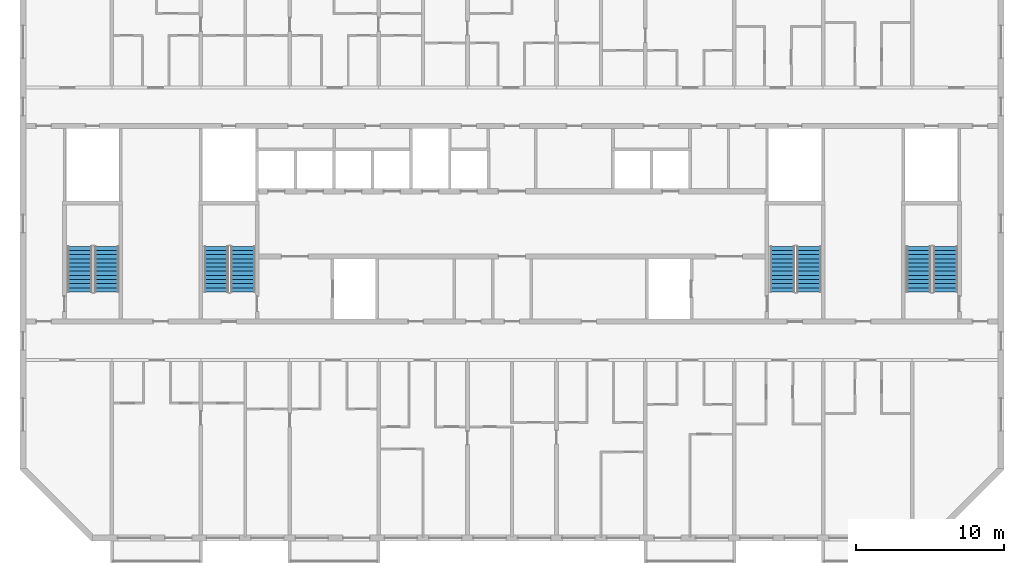
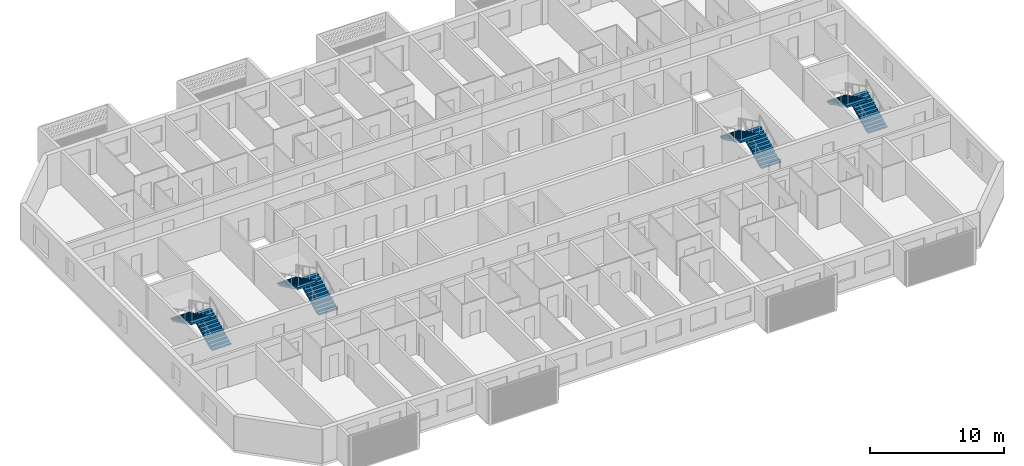
# One storey, part 12 of 26: 8 stair flights, 4 elements without a shape of their own.
"""IFC4 building model written with IfcOpenShell, lengths in metres."""

from ifc_helpers import new_model, si_unit, direction, frame, origin, place, context, subcontext, project, spatial, polyline, outline, extrude, material, layer, layer_set, type_object, element, aggregate, save


model = new_model("IFC4")

# Units and contexts
model_context = context("Model", 3, precision=1e-05, world=origin(), true_north=direction((0.0, 1.0)))
body_context = subcontext(model_context, "Body", "Model", "MODEL_VIEW")
ifc_project = project(units=[si_unit("LENGTHUNIT", "METRE"), si_unit("AREAUNIT", "SQUARE_METRE"), si_unit("VOLUMEUNIT", "CUBIC_METRE"), si_unit("PLANEANGLEUNIT", "RADIAN"), si_unit("MASSUNIT", "GRAM", prefix="KILO")], contexts=[model_context])

# Site, building, storey
site_placement = place(None, origin())
site = spatial("IfcSite", under=ifc_project, at=site_placement, CompositionType="ELEMENT")
building_placement = place(site_placement, origin())
building = spatial("IfcBuilding", under=site, at=building_placement, Name="Poui Terraces", CompositionType="ELEMENT")
storey_placement = place(building_placement, frame((0.0, 0.0, 244.5)))
storey = spatial("IfcBuildingStorey", under=building, at=storey_placement, Name="L68", CompositionType="ELEMENT", Elevation=244.5)

# Stair, stair flights
ifc_material = material(Name="Concrete 50 MPa", Category="concrete")
stair_type = type_object("IfcStairType", Name="EXIT STAIR 1650 50 MPA", PredefinedType="HALF_TURN_STAIR", material=ifc_material)
stair_1_placement = place(storey_placement, origin())
stair_1 = element("IfcStair", 1, at=stair_1_placement, inside=storey, type_object=stair_type, Name="L68 CORE STAIR EAST", PredefinedType="HALF_TURN_STAIR")
ifc_layer = layer(ifc_material, 0.14990234375)
ifc_layer_set = layer_set([ifc_layer], Name="Concrete 50 MPa")
stair_flight_type = type_object("IfcStairFlightType", Name="STAIR FLIGHT 12 RISERS 138 RISE 50 MPA", PredefinedType="STRAIGHT", material=ifc_layer_set)
stair_flight_1_placement = place(storey_placement, frame((71.050048828125, 16.60009765625, 0.0), z_axis=(0.0, 0.0, 1.0), x_axis=(0.0, 1.0, 0.0)))
stair_flight_1 = element("IfcStairFlight", 2, at=stair_flight_1_placement, type_object=stair_flight_type, Name="ST-CE flight 1", NumberOfRisers=12, NumberOfTreads=11, PredefinedType="STRAIGHT", RiserHeight=0.1375, TreadLength=0.28, context=body_context, shape_type="SweptSolid", body=[
    extrude(outline(polyline([(0.0, 0.0), (0.0, 0.137451171875), (0.280029296875, 0.137451171875), (0.280029296875, 0.27490234375), (0.56005859375, 0.27490234375), (0.56005859375, 0.41259765625), (0.840087890625, 0.41259765625), (0.840087890625, 0.550048828125), (1.1201171875, 0.550048828125), (1.1201171875, 0.6875), (1.39990234375, 0.6875), (1.39990234375, 0.824951171875), (1.679931640625, 0.824951171875), (1.679931640625, 0.96240234375), (1.9599609375, 0.96240234375), (1.9599609375, 1.10009765625), (2.239990234375, 1.10009765625), (2.239990234375, 1.237548828125), (2.52001953125, 1.237548828125), (2.52001953125, 1.375), (2.800048828125, 1.375), (2.800048828125, 1.512451171875), (3.080078125, 1.512451171875), (3.080078125, 1.64990234375), (3.080078125, 1.345458984375), (0.340087890625, 0.0), (0.0, 0.0)])), frame((0.0, 0.824951171875, 0.0), z_axis=(0.0, -1.0, 0.0), x_axis=(1.0, 0.0, 0.0)), (0.0, 0.0, 1.0), 1.64990234375),
])
stair_flight_2_placement = place(storey_placement, frame((69.25, 19.679931640625, 1.64990234375), z_axis=(0.0, 0.0, 1.0), x_axis=(0.0, -1.0, 0.0)))
stair_flight_2 = element("IfcStairFlight", 3, at=stair_flight_2_placement, type_object=stair_flight_type, Name="ST-CE flight 2", NumberOfRisers=12, NumberOfTreads=11, PredefinedType="STRAIGHT", RiserHeight=0.1375, TreadLength=0.28, context=body_context, shape_type="SweptSolid", body=[
    extrude(outline(polyline([(0.0, 0.0), (0.0, 0.137451171875), (0.280029296875, 0.137451171875), (0.280029296875, 0.27490234375), (0.56005859375, 0.27490234375), (0.56005859375, 0.41259765625), (0.840087890625, 0.41259765625), (0.840087890625, 0.550048828125), (1.1201171875, 0.550048828125), (1.1201171875, 0.6875), (1.39990234375, 0.6875), (1.39990234375, 0.824951171875), (1.679931640625, 0.824951171875), (1.679931640625, 0.96240234375), (1.9599609375, 0.96240234375), (1.9599609375, 1.10009765625), (2.239990234375, 1.10009765625), (2.239990234375, 1.237548828125), (2.52001953125, 1.237548828125), (2.52001953125, 1.375), (2.800048828125, 1.375), (2.800048828125, 1.512451171875), (3.080078125, 1.512451171875), (3.080078125, 1.64990234375), (3.080078125, 1.345458984375), (0.340087890625, 0.0), (0.0, 0.0)])), frame((0.0, 0.824951171875, 0.0), z_axis=(0.0, -1.0, 0.0), x_axis=(1.0, 0.0, 0.0)), (0.0, 0.0, 1.0), 1.64990234375),
])
aggregate(stair_1, [stair_flight_1, stair_flight_2])

stair_2_placement = place(storey_placement, origin())
stair_2 = element("IfcStair", 4, at=stair_2_placement, inside=storey, type_object=stair_type, Name="L68 CORE STAIR WEST", PredefinedType="HALF_TURN_STAIR")
stair_flight_3_placement = place(storey_placement, frame((32.85009765625, 16.60009765625, 0.0), z_axis=(0.0, 0.0, 1.0), x_axis=(0.0, 1.0, 0.0)))
stair_flight_3 = element("IfcStairFlight", 5, at=stair_flight_3_placement, type_object=stair_flight_type, Name="ST-CW flight 1", NumberOfRisers=12, NumberOfTreads=11, PredefinedType="STRAIGHT", RiserHeight=0.1375, TreadLength=0.28, context=body_context, shape_type="SweptSolid", body=[
    extrude(outline(polyline([(0.0, 0.0), (0.0, 0.137451171875), (0.280029296875, 0.137451171875), (0.280029296875, 0.27490234375), (0.56005859375, 0.27490234375), (0.56005859375, 0.41259765625), (0.840087890625, 0.41259765625), (0.840087890625, 0.550048828125), (1.1201171875, 0.550048828125), (1.1201171875, 0.6875), (1.39990234375, 0.6875), (1.39990234375, 0.824951171875), (1.679931640625, 0.824951171875), (1.679931640625, 0.96240234375), (1.9599609375, 0.96240234375), (1.9599609375, 1.10009765625), (2.239990234375, 1.10009765625), (2.239990234375, 1.237548828125), (2.52001953125, 1.237548828125), (2.52001953125, 1.375), (2.800048828125, 1.375), (2.800048828125, 1.512451171875), (3.080078125, 1.512451171875), (3.080078125, 1.64990234375), (3.080078125, 1.345458984375), (0.340087890625, 0.0), (0.0, 0.0)])), frame((0.0, 0.824951171875, 0.0), z_axis=(0.0, -1.0, 0.0), x_axis=(1.0, 0.0, 0.0)), (0.0, 0.0, 1.0), 1.64990234375),
])
stair_flight_4_placement = place(storey_placement, frame((31.050048828125, 19.679931640625, 1.64990234375), z_axis=(0.0, 0.0, 1.0), x_axis=(0.0, -1.0, 0.0)))
stair_flight_4 = element("IfcStairFlight", 6, at=stair_flight_4_placement, type_object=stair_flight_type, Name="ST-CW flight 2", NumberOfRisers=12, NumberOfTreads=11, PredefinedType="STRAIGHT", RiserHeight=0.1375, TreadLength=0.28, context=body_context, shape_type="SweptSolid", body=[
    extrude(outline(polyline([(0.0, 0.0), (0.0, 0.137451171875), (0.280029296875, 0.137451171875), (0.280029296875, 0.27490234375), (0.56005859375, 0.27490234375), (0.56005859375, 0.41259765625), (0.840087890625, 0.41259765625), (0.840087890625, 0.550048828125), (1.1201171875, 0.550048828125), (1.1201171875, 0.6875), (1.39990234375, 0.6875), (1.39990234375, 0.824951171875), (1.679931640625, 0.824951171875), (1.679931640625, 0.96240234375), (1.9599609375, 0.96240234375), (1.9599609375, 1.10009765625), (2.239990234375, 1.10009765625), (2.239990234375, 1.237548828125), (2.52001953125, 1.237548828125), (2.52001953125, 1.375), (2.800048828125, 1.375), (2.800048828125, 1.512451171875), (3.080078125, 1.512451171875), (3.080078125, 1.64990234375), (3.080078125, 1.345458984375), (0.340087890625, 0.0), (0.0, 0.0)])), frame((0.0, 0.824951171875, 0.0), z_axis=(0.0, -1.0, 0.0), x_axis=(1.0, 0.0, 0.0)), (0.0, 0.0, 1.0), 1.64990234375),
])
aggregate(stair_2, [stair_flight_3, stair_flight_4])

stair_3_placement = place(storey_placement, origin())
stair_3 = element("IfcStair", 7, at=stair_3_placement, inside=storey, type_object=stair_type, Name="L68 TIP STAIR EAST", PredefinedType="HALF_TURN_STAIR")
stair_flight_5_placement = place(storey_placement, frame((80.25, 16.60009765625, 0.0), z_axis=(0.0, 0.0, 1.0), x_axis=(0.0, 1.0, 0.0)))
stair_flight_5 = element("IfcStairFlight", 8, at=stair_flight_5_placement, type_object=stair_flight_type, Name="ST-E flight 1", NumberOfRisers=12, NumberOfTreads=11, PredefinedType="STRAIGHT", RiserHeight=0.1375, TreadLength=0.28, context=body_context, shape_type="SweptSolid", body=[
    extrude(outline(polyline([(0.0, 0.0), (0.0, 0.137451171875), (0.280029296875, 0.137451171875), (0.280029296875, 0.27490234375), (0.56005859375, 0.27490234375), (0.56005859375, 0.41259765625), (0.840087890625, 0.41259765625), (0.840087890625, 0.550048828125), (1.1201171875, 0.550048828125), (1.1201171875, 0.6875), (1.39990234375, 0.6875), (1.39990234375, 0.824951171875), (1.679931640625, 0.824951171875), (1.679931640625, 0.96240234375), (1.9599609375, 0.96240234375), (1.9599609375, 1.10009765625), (2.239990234375, 1.10009765625), (2.239990234375, 1.237548828125), (2.52001953125, 1.237548828125), (2.52001953125, 1.375), (2.800048828125, 1.375), (2.800048828125, 1.512451171875), (3.080078125, 1.512451171875), (3.080078125, 1.64990234375), (3.080078125, 1.345458984375), (0.340087890625, 0.0), (0.0, 0.0)])), frame((0.0, 0.824951171875, 0.0), z_axis=(0.0, -1.0, 0.0), x_axis=(1.0, 0.0, 0.0)), (0.0, 0.0, 1.0), 1.64990234375),
])
stair_flight_6_placement = place(storey_placement, frame((78.449951171875, 19.679931640625, 1.64990234375), z_axis=(0.0, 0.0, 1.0), x_axis=(0.0, -1.0, 0.0)))
stair_flight_6 = element("IfcStairFlight", 9, at=stair_flight_6_placement, type_object=stair_flight_type, Name="ST-E flight 2", NumberOfRisers=12, NumberOfTreads=11, PredefinedType="STRAIGHT", RiserHeight=0.1375, TreadLength=0.28, context=body_context, shape_type="SweptSolid", body=[
    extrude(outline(polyline([(0.0, 0.0), (0.0, 0.137451171875), (0.280029296875, 0.137451171875), (0.280029296875, 0.27490234375), (0.56005859375, 0.27490234375), (0.56005859375, 0.41259765625), (0.840087890625, 0.41259765625), (0.840087890625, 0.550048828125), (1.1201171875, 0.550048828125), (1.1201171875, 0.6875), (1.39990234375, 0.6875), (1.39990234375, 0.824951171875), (1.679931640625, 0.824951171875), (1.679931640625, 0.96240234375), (1.9599609375, 0.96240234375), (1.9599609375, 1.10009765625), (2.239990234375, 1.10009765625), (2.239990234375, 1.237548828125), (2.52001953125, 1.237548828125), (2.52001953125, 1.375), (2.800048828125, 1.375), (2.800048828125, 1.512451171875), (3.080078125, 1.512451171875), (3.080078125, 1.64990234375), (3.080078125, 1.345458984375), (0.340087890625, 0.0), (0.0, 0.0)])), frame((0.0, 0.824951171875, 0.0), z_axis=(0.0, -1.0, 0.0), x_axis=(1.0, 0.0, 0.0)), (0.0, 0.0, 1.0), 1.64990234375),
])
aggregate(stair_3, [stair_flight_5, stair_flight_6])

stair_4_placement = place(storey_placement, origin())
stair_4 = element("IfcStair", 10, at=stair_4_placement, inside=storey, type_object=stair_type, Name="L68 TIP STAIR WEST", PredefinedType="HALF_TURN_STAIR")
stair_flight_7_placement = place(storey_placement, frame((23.64990234375, 16.60009765625, 0.0), z_axis=(0.0, 0.0, 1.0), x_axis=(0.0, 1.0, 0.0)))
stair_flight_7 = element("IfcStairFlight", 11, at=stair_flight_7_placement, type_object=stair_flight_type, Name="ST-W flight 1", NumberOfRisers=12, NumberOfTreads=11, PredefinedType="STRAIGHT", RiserHeight=0.1375, TreadLength=0.28, context=body_context, shape_type="SweptSolid", body=[
    extrude(outline(polyline([(0.0, 0.0), (0.0, 0.137451171875), (0.280029296875, 0.137451171875), (0.280029296875, 0.27490234375), (0.56005859375, 0.27490234375), (0.56005859375, 0.41259765625), (0.840087890625, 0.41259765625), (0.840087890625, 0.550048828125), (1.1201171875, 0.550048828125), (1.1201171875, 0.6875), (1.39990234375, 0.6875), (1.39990234375, 0.824951171875), (1.679931640625, 0.824951171875), (1.679931640625, 0.96240234375), (1.9599609375, 0.96240234375), (1.9599609375, 1.10009765625), (2.239990234375, 1.10009765625), (2.239990234375, 1.237548828125), (2.52001953125, 1.237548828125), (2.52001953125, 1.375), (2.800048828125, 1.375), (2.800048828125, 1.512451171875), (3.080078125, 1.512451171875), (3.080078125, 1.64990234375), (3.080078125, 1.345458984375), (0.340087890625, 0.0), (0.0, 0.0)])), frame((0.0, 0.824951171875, 0.0), z_axis=(0.0, -1.0, 0.0), x_axis=(1.0, 0.0, 0.0)), (0.0, 0.0, 1.0), 1.64990234375),
])
stair_flight_8_placement = place(storey_placement, frame((21.85009765625, 19.679931640625, 1.64990234375), z_axis=(0.0, 0.0, 1.0), x_axis=(0.0, -1.0, 0.0)))
stair_flight_8 = element("IfcStairFlight", 12, at=stair_flight_8_placement, type_object=stair_flight_type, Name="ST-W flight 2", NumberOfRisers=12, NumberOfTreads=11, PredefinedType="STRAIGHT", RiserHeight=0.1375, TreadLength=0.28, context=body_context, shape_type="SweptSolid", body=[
    extrude(outline(polyline([(0.0, 0.0), (0.0, 0.137451171875), (0.280029296875, 0.137451171875), (0.280029296875, 0.27490234375), (0.56005859375, 0.27490234375), (0.56005859375, 0.41259765625), (0.840087890625, 0.41259765625), (0.840087890625, 0.550048828125), (1.1201171875, 0.550048828125), (1.1201171875, 0.6875), (1.39990234375, 0.6875), (1.39990234375, 0.824951171875), (1.679931640625, 0.824951171875), (1.679931640625, 0.96240234375), (1.9599609375, 0.96240234375), (1.9599609375, 1.10009765625), (2.239990234375, 1.10009765625), (2.239990234375, 1.237548828125), (2.52001953125, 1.237548828125), (2.52001953125, 1.375), (2.800048828125, 1.375), (2.800048828125, 1.512451171875), (3.080078125, 1.512451171875), (3.080078125, 1.64990234375), (3.080078125, 1.345458984375), (0.340087890625, 0.0), (0.0, 0.0)])), frame((0.0, 0.824951171875, 0.0), z_axis=(0.0, -1.0, 0.0), x_axis=(1.0, 0.0, 0.0)), (0.0, 0.0, 1.0), 1.64990234375),
])
aggregate(stair_4, [stair_flight_7, stair_flight_8])

save(model, "model.ifc")
